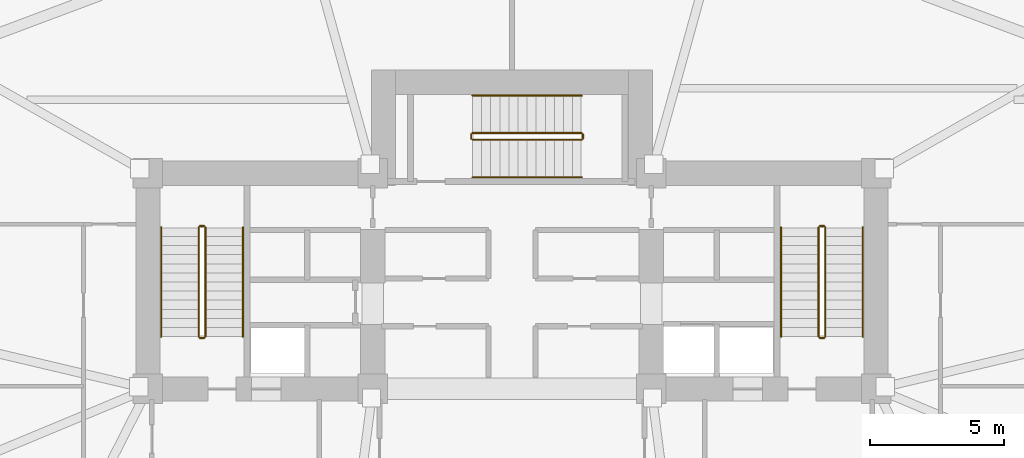
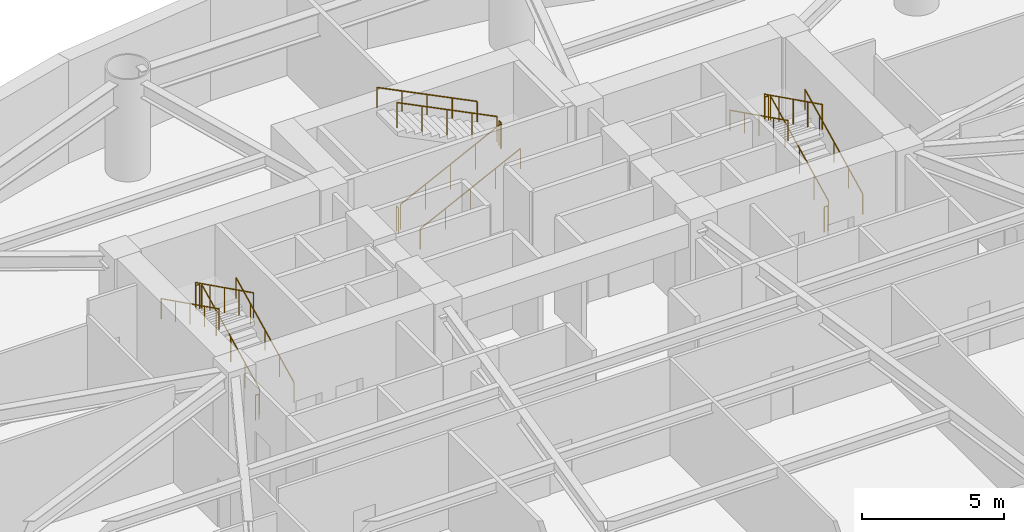
# One storey, part 6 of 6: 18 railings.
"""IFC4 building model written with IfcOpenShell, lengths in metres."""

from ifc_helpers import new_model, si_unit, direction, frame, origin, origin_2d, place, context, subcontext, project, spatial, circle, extrude, material, type_object, element, save


model = new_model("IFC4")

# Units and contexts
model_context = context("Model", 3, precision=1e-05, world=origin(), true_north=direction((0.0, 1.0)))
body_context = subcontext(model_context, "Body", "Model", "MODEL_VIEW")
ifc_project = project(units=[si_unit("LENGTHUNIT", "METRE"), si_unit("AREAUNIT", "SQUARE_METRE"), si_unit("VOLUMEUNIT", "CUBIC_METRE"), si_unit("PLANEANGLEUNIT", "RADIAN"), si_unit("MASSUNIT", "GRAM", prefix="KILO")], contexts=[model_context])

# Site, building, storey
site_placement = place(None, origin())
site = spatial("IfcSite", under=ifc_project, at=site_placement, CompositionType="ELEMENT")
building_placement = place(site_placement, origin())
building = spatial("IfcBuilding", under=site, at=building_placement, Name="Keldmark Tower", CompositionType="ELEMENT")
storey_placement = place(building_placement, frame((0.0, 0.0, -4.39990234375)))
storey = spatial("IfcBuildingStorey", under=building, at=storey_placement, Name="B01", CompositionType="ELEMENT", Elevation=-4.39990234375)

# Railings
ifc_material_1 = material(Name="Painted Steel ASTM A500 Grade B", Category="steel")
railing_type_1 = type_object("IfcRailingType", Name="Painted Steel Stair Well Guard 1100 mm", PredefinedType="GUARDRAIL", material=ifc_material_1)
railing_1_placement = place(storey_placement, frame((-11.449951171875, 3.35009765625, 0.169189453125)))
element("IfcRailing", 1, at=railing_1_placement, inside=storey, type_object=railing_type_1, Name="B01 ST1 stair guard 1", PredefinedType="GUARDRAIL", context=body_context, shape_type="SweptSolid", body=[
    extrude(circle(Radius=0.02392578125, at=origin_2d()), frame((0.0, 0.0, 1.076171875), z_axis=(0.0, 0.895229316009, 0.445605735777), x_axis=(-1.0, 0.0, 0.0)), (0.0, 0.0, 1.0), 4.557373046875),
    extrude(circle(Radius=0.02099609375, at=origin_2d()), origin(), (0.0, 0.0, 1.0), 1.052001953125),
    extrude(circle(Radius=0.02099609375, at=origin_2d()), frame((0.0, 1.02001953125, 0.5078125)), (0.0, 0.0, 1.0), 1.052001953125),
    extrude(circle(Radius=0.02099609375, at=origin_2d()), frame((0.0, 2.0400390625, 1.015380859375)), (0.0, 0.0, 1.0), 1.052001953125),
    extrude(circle(Radius=0.02099609375, at=origin_2d()), frame((0.0, 3.059814453125, 1.52294921875)), (0.0, 0.0, 1.0), 1.052001953125),
    extrude(circle(Radius=0.02099609375, at=origin_2d()), frame((0.0, 4.079833984375, 2.03076171875)), (0.0, 0.0, 1.0), 1.052001953125),
])
railing_2_placement = place(storey_placement, frame((-11.5, 7.47998046875, 2.199951171875)))
element("IfcRailing", 2, at=railing_2_placement, inside=storey, type_object=railing_type_1, Name="B01 ST1 stair guard 2", PredefinedType="GUARDRAIL", context=body_context, shape_type="SweptSolid", body=[
    extrude(circle(Radius=0.02392578125, at=origin_2d()), frame((0.0, 0.0, 1.076171875), z_axis=(-1.0, 0.0, 0.0), x_axis=(0.0, -1.0, 0.0)), (0.0, 0.0, 1.0), 0.14990234375),
    extrude(circle(Radius=0.02099609375, at=origin_2d()), origin(), (0.0, 0.0, 1.0), 1.052001953125),
    extrude(circle(Radius=0.02099609375, at=origin_2d()), frame((-0.14990234375, 0.0, 0.0)), (0.0, 0.0, 1.0), 1.052001953125),
])
railing_3_placement = place(storey_placement, frame((-11.699951171875, 7.429931640625, 2.369140625)))
element("IfcRailing", 3, at=railing_3_placement, inside=storey, type_object=railing_type_1, Name="B01 ST1 stair guard 3", PredefinedType="GUARDRAIL", context=body_context, shape_type="SweptSolid", body=[
    extrude(circle(Radius=0.02392578125, at=origin_2d()), frame((0.0, 0.0, 1.076171875), z_axis=(0.0, -0.895229316009, 0.445605735777), x_axis=(1.0, 0.0, 0.0)), (0.0, 0.0, 1.0), 4.557373046875),
    extrude(circle(Radius=0.02099609375, at=origin_2d()), origin(), (0.0, 0.0, 1.0), 1.052001953125),
    extrude(circle(Radius=0.02099609375, at=origin_2d()), frame((0.0, -1.02001953125, 0.5078125)), (0.0, 0.0, 1.0), 1.052001953125),
    extrude(circle(Radius=0.02099609375, at=origin_2d()), frame((0.0, -2.0400390625, 1.015380859375)), (0.0, 0.0, 1.0), 1.052001953125),
    extrude(circle(Radius=0.02099609375, at=origin_2d()), frame((0.0, -3.059814453125, 1.52294921875)), (0.0, 0.0, 1.0), 1.052001953125),
    extrude(circle(Radius=0.02099609375, at=origin_2d()), frame((0.0, -4.079833984375, 2.03076171875)), (0.0, 0.0, 1.0), 1.052001953125),
])
railing_4_placement = place(storey_placement, frame((-11.5, 3.300048828125, 0.0)))
element("IfcRailing", 4, at=railing_4_placement, inside=storey, type_object=railing_type_1, Name="B01 ST1 stair guard 4", PredefinedType="GUARDRAIL", context=body_context, shape_type="SweptSolid", body=[
    extrude(circle(Radius=0.02392578125, at=origin_2d()), frame((0.0, 0.0, 1.076171875), z_axis=(-1.0, 0.0, 0.0), x_axis=(0.0, -1.0, 0.0)), (0.0, 0.0, 1.0), 0.14990234375),
    extrude(circle(Radius=0.02099609375, at=origin_2d()), origin(), (0.0, 0.0, 1.0), 1.052001953125),
    extrude(circle(Radius=0.02099609375, at=origin_2d()), frame((-0.14990234375, 0.0, 0.0)), (0.0, 0.0, 1.0), 1.052001953125),
])
railing_5_placement = place(storey_placement, frame((11.699951171875, 3.35009765625, 0.169189453125)))
element("IfcRailing", 5, at=railing_5_placement, inside=storey, type_object=railing_type_1, Name="B01 ST2 stair guard 1", PredefinedType="GUARDRAIL", context=body_context, shape_type="SweptSolid", body=[
    extrude(circle(Radius=0.02392578125, at=origin_2d()), frame((0.0, 0.0, 1.076171875), z_axis=(0.0, 0.895229316009, 0.445605735777), x_axis=(-1.0, 0.0, 0.0)), (0.0, 0.0, 1.0), 4.557373046875),
    extrude(circle(Radius=0.02099609375, at=origin_2d()), origin(), (0.0, 0.0, 1.0), 1.052001953125),
    extrude(circle(Radius=0.02099609375, at=origin_2d()), frame((0.0, 1.02001953125, 0.5078125)), (0.0, 0.0, 1.0), 1.052001953125),
    extrude(circle(Radius=0.02099609375, at=origin_2d()), frame((0.0, 2.0400390625, 1.015380859375)), (0.0, 0.0, 1.0), 1.052001953125),
    extrude(circle(Radius=0.02099609375, at=origin_2d()), frame((0.0, 3.059814453125, 1.52294921875)), (0.0, 0.0, 1.0), 1.052001953125),
    extrude(circle(Radius=0.02099609375, at=origin_2d()), frame((0.0, 4.079833984375, 2.03076171875)), (0.0, 0.0, 1.0), 1.052001953125),
])
railing_6_placement = place(storey_placement, frame((11.64990234375, 7.47998046875, 2.199951171875)))
element("IfcRailing", 6, at=railing_6_placement, inside=storey, type_object=railing_type_1, Name="B01 ST2 stair guard 2", PredefinedType="GUARDRAIL", context=body_context, shape_type="SweptSolid", body=[
    extrude(circle(Radius=0.02392578125, at=origin_2d()), frame((0.0, 0.0, 1.076171875), z_axis=(-1.0, 0.0, 0.0), x_axis=(0.0, -1.0, 0.0)), (0.0, 0.0, 1.0), 0.14990234375),
    extrude(circle(Radius=0.02099609375, at=origin_2d()), origin(), (0.0, 0.0, 1.0), 1.052001953125),
    extrude(circle(Radius=0.02099609375, at=origin_2d()), frame((-0.14990234375, 0.0, 0.0)), (0.0, 0.0, 1.0), 1.052001953125),
])
railing_7_placement = place(storey_placement, frame((11.449951171875, 7.429931640625, 2.369140625)))
element("IfcRailing", 7, at=railing_7_placement, inside=storey, type_object=railing_type_1, Name="B01 ST2 stair guard 3", PredefinedType="GUARDRAIL", context=body_context, shape_type="SweptSolid", body=[
    extrude(circle(Radius=0.02392578125, at=origin_2d()), frame((0.0, 0.0, 1.076171875), z_axis=(0.0, -0.895229316009, 0.445605735777), x_axis=(1.0, 0.0, 0.0)), (0.0, 0.0, 1.0), 4.557373046875),
    extrude(circle(Radius=0.02099609375, at=origin_2d()), origin(), (0.0, 0.0, 1.0), 1.052001953125),
    extrude(circle(Radius=0.02099609375, at=origin_2d()), frame((0.0, -1.02001953125, 0.5078125)), (0.0, 0.0, 1.0), 1.052001953125),
    extrude(circle(Radius=0.02099609375, at=origin_2d()), frame((0.0, -2.0400390625, 1.015380859375)), (0.0, 0.0, 1.0), 1.052001953125),
    extrude(circle(Radius=0.02099609375, at=origin_2d()), frame((0.0, -3.059814453125, 1.52294921875)), (0.0, 0.0, 1.0), 1.052001953125),
    extrude(circle(Radius=0.02099609375, at=origin_2d()), frame((0.0, -4.079833984375, 2.03076171875)), (0.0, 0.0, 1.0), 1.052001953125),
])
railing_8_placement = place(storey_placement, frame((11.64990234375, 3.300048828125, 0.0)))
element("IfcRailing", 8, at=railing_8_placement, inside=storey, type_object=railing_type_1, Name="B01 ST2 stair guard 4", PredefinedType="GUARDRAIL", context=body_context, shape_type="SweptSolid", body=[
    extrude(circle(Radius=0.02392578125, at=origin_2d()), frame((0.0, 0.0, 1.076171875), z_axis=(-1.0, 0.0, 0.0), x_axis=(0.0, -1.0, 0.0)), (0.0, 0.0, 1.0), 0.14990234375),
    extrude(circle(Radius=0.02099609375, at=origin_2d()), origin(), (0.0, 0.0, 1.0), 1.052001953125),
    extrude(circle(Radius=0.02099609375, at=origin_2d()), frame((-0.14990234375, 0.0, 0.0)), (0.0, 0.0, 1.0), 1.052001953125),
])
railing_9_placement = place(storey_placement, frame((-1.47509765625, 10.699951171875, 0.169189453125)))
element("IfcRailing", 9, at=railing_9_placement, inside=storey, type_object=railing_type_1, Name="B01 ST3 stair guard 1", PredefinedType="GUARDRAIL", context=body_context, shape_type="SweptSolid", body=[
    extrude(circle(Radius=0.02392578125, at=origin_2d()), frame((0.0, 0.0, 1.076171875), z_axis=(0.895239952593, 0.0, 0.445584366064), x_axis=(0.0, 1.0, 0.0)), (0.0, 0.0, 1.0), 4.5576171875),
    extrude(circle(Radius=0.02099609375, at=origin_2d()), origin(), (0.0, 0.0, 1.0), 1.052001953125),
    extrude(circle(Radius=0.02099609375, at=origin_2d()), frame((1.02001953125, 0.0, 0.5078125)), (0.0, 0.0, 1.0), 1.052001953125),
    extrude(circle(Radius=0.02099609375, at=origin_2d()), frame((2.0400390625, 0.0, 1.015380859375)), (0.0, 0.0, 1.0), 1.052001953125),
    extrude(circle(Radius=0.02099609375, at=origin_2d()), frame((3.06005859375, 0.0, 1.52294921875)), (0.0, 0.0, 1.0), 1.052001953125),
    extrude(circle(Radius=0.02099609375, at=origin_2d()), frame((4.080078125, 0.0, 2.03076171875)), (0.0, 0.0, 1.0), 1.052001953125),
])
railing_10_placement = place(storey_placement, frame((2.655029296875, 10.75, 2.199951171875)))
element("IfcRailing", 10, at=railing_10_placement, inside=storey, type_object=railing_type_1, Name="B01 ST3 stair guard 2", PredefinedType="GUARDRAIL", context=body_context, shape_type="SweptSolid", body=[
    extrude(circle(Radius=0.02392578125, at=origin_2d()), frame((0.0, 0.0, 1.076171875), z_axis=(0.0, 1.0, 0.0), x_axis=(-1.0, 0.0, 0.0)), (0.0, 0.0, 1.0), 0.14990234375),
    extrude(circle(Radius=0.02099609375, at=origin_2d()), origin(), (0.0, 0.0, 1.0), 1.052001953125),
    extrude(circle(Radius=0.02099609375, at=origin_2d()), frame((0.0, 0.14990234375, 0.0)), (0.0, 0.0, 1.0), 1.052001953125),
])
railing_11_placement = place(storey_placement, frame((2.60498046875, 10.949951171875, 2.369140625)))
element("IfcRailing", 11, at=railing_11_placement, inside=storey, type_object=railing_type_1, Name="B01 ST3 stair guard 3", PredefinedType="GUARDRAIL", context=body_context, shape_type="SweptSolid", body=[
    extrude(circle(Radius=0.02392578125, at=origin_2d()), frame((0.0, 0.0, 1.076171875), z_axis=(-0.895239952593, 0.0, 0.445584366064), x_axis=(0.0, -1.0, 0.0)), (0.0, 0.0, 1.0), 4.5576171875),
    extrude(circle(Radius=0.02099609375, at=origin_2d()), origin(), (0.0, 0.0, 1.0), 1.052001953125),
    extrude(circle(Radius=0.02099609375, at=origin_2d()), frame((-1.02001953125, 0.0, 0.5078125)), (0.0, 0.0, 1.0), 1.052001953125),
    extrude(circle(Radius=0.02099609375, at=origin_2d()), frame((-2.0400390625, 0.0, 1.015380859375)), (0.0, 0.0, 1.0), 1.052001953125),
    extrude(circle(Radius=0.02099609375, at=origin_2d()), frame((-3.06005859375, 0.0, 1.52294921875)), (0.0, 0.0, 1.0), 1.052001953125),
    extrude(circle(Radius=0.02099609375, at=origin_2d()), frame((-4.080078125, 0.0, 2.03076171875)), (0.0, 0.0, 1.0), 1.052001953125),
])
railing_12_placement = place(storey_placement, frame((-1.52490234375, 10.75, 0.0)))
element("IfcRailing", 12, at=railing_12_placement, inside=storey, type_object=railing_type_1, Name="B01 ST3 stair guard 4", PredefinedType="GUARDRAIL", context=body_context, shape_type="SweptSolid", body=[
    extrude(circle(Radius=0.02392578125, at=origin_2d()), frame((0.0, 0.0, 1.076171875), z_axis=(0.0, 1.0, 0.0), x_axis=(-1.0, 0.0, 0.0)), (0.0, 0.0, 1.0), 0.14990234375),
    extrude(circle(Radius=0.02099609375, at=origin_2d()), origin(), (0.0, 0.0, 1.0), 1.052001953125),
    extrude(circle(Radius=0.02099609375, at=origin_2d()), frame((0.0, 0.14990234375, 0.0)), (0.0, 0.0, 1.0), 1.052001953125),
])
ifc_material_2 = material(Name="Stainless Steel AISI 316L", Category="steel")
railing_type_2 = type_object("IfcRailingType", Name="Stainless Steel Stair Handrail 900 mm", PredefinedType="HANDRAIL", material=ifc_material_2)
railing_13_placement = place(storey_placement, frame((-10.050048828125, 3.35009765625, 0.169189453125)))
element("IfcRailing", 13, at=railing_13_placement, inside=storey, type_object=railing_type_2, Name="B01 ST1 stair handrail 1", PredefinedType="HANDRAIL", context=body_context, shape_type="SweptSolid", body=[
    extrude(circle(Radius=0.02392578125, at=origin_2d()), frame((0.0, 0.0, 0.8759765625), z_axis=(0.0, 0.895229316009, 0.445605735777), x_axis=(-1.0, 0.0, 0.0)), (0.0, 0.0, 1.0), 4.557373046875),
    extrude(circle(Radius=0.02099609375, at=origin_2d()), origin(), (0.0, 0.0, 1.0), 0.851806640625),
    extrude(circle(Radius=0.02099609375, at=origin_2d()), frame((0.0, 1.02001953125, 0.5078125)), (0.0, 0.0, 1.0), 0.851806640625),
    extrude(circle(Radius=0.02099609375, at=origin_2d()), frame((0.0, 2.0400390625, 1.015380859375)), (0.0, 0.0, 1.0), 0.851806640625),
    extrude(circle(Radius=0.02099609375, at=origin_2d()), frame((0.0, 3.059814453125, 1.52294921875)), (0.0, 0.0, 1.0), 0.851806640625),
    extrude(circle(Radius=0.02099609375, at=origin_2d()), frame((0.0, 4.079833984375, 2.03076171875)), (0.0, 0.0, 1.0), 0.851806640625),
])
railing_14_placement = place(storey_placement, frame((-13.10009765625, 7.429931640625, 2.369140625)))
element("IfcRailing", 14, at=railing_14_placement, inside=storey, type_object=railing_type_2, Name="B01 ST1 stair handrail 2", PredefinedType="HANDRAIL", context=body_context, shape_type="SweptSolid", body=[
    extrude(circle(Radius=0.02392578125, at=origin_2d()), frame((0.0, 0.0, 0.8759765625), z_axis=(0.0, -0.895229316009, 0.445605735777), x_axis=(1.0, 0.0, 0.0)), (0.0, 0.0, 1.0), 4.557373046875),
    extrude(circle(Radius=0.02099609375, at=origin_2d()), origin(), (0.0, 0.0, 1.0), 0.851806640625),
    extrude(circle(Radius=0.02099609375, at=origin_2d()), frame((0.0, -1.02001953125, 0.5078125)), (0.0, 0.0, 1.0), 0.851806640625),
    extrude(circle(Radius=0.02099609375, at=origin_2d()), frame((0.0, -2.0400390625, 1.015380859375)), (0.0, 0.0, 1.0), 0.851806640625),
    extrude(circle(Radius=0.02099609375, at=origin_2d()), frame((0.0, -3.059814453125, 1.52294921875)), (0.0, 0.0, 1.0), 0.851806640625),
    extrude(circle(Radius=0.02099609375, at=origin_2d()), frame((0.0, -4.079833984375, 2.03076171875)), (0.0, 0.0, 1.0), 0.851806640625),
])
railing_15_placement = place(storey_placement, frame((13.10009765625, 3.35009765625, 0.169189453125)))
element("IfcRailing", 15, at=railing_15_placement, inside=storey, type_object=railing_type_2, Name="B01 ST2 stair handrail 1", PredefinedType="HANDRAIL", context=body_context, shape_type="SweptSolid", body=[
    extrude(circle(Radius=0.02392578125, at=origin_2d()), frame((0.0, 0.0, 0.8759765625), z_axis=(0.0, 0.895229316009, 0.445605735777), x_axis=(-1.0, 0.0, 0.0)), (0.0, 0.0, 1.0), 4.557373046875),
    extrude(circle(Radius=0.02099609375, at=origin_2d()), origin(), (0.0, 0.0, 1.0), 0.851806640625),
    extrude(circle(Radius=0.02099609375, at=origin_2d()), frame((0.0, 1.02001953125, 0.5078125)), (0.0, 0.0, 1.0), 0.851806640625),
    extrude(circle(Radius=0.02099609375, at=origin_2d()), frame((0.0, 2.0400390625, 1.015380859375)), (0.0, 0.0, 1.0), 0.851806640625),
    extrude(circle(Radius=0.02099609375, at=origin_2d()), frame((0.0, 3.059814453125, 1.52294921875)), (0.0, 0.0, 1.0), 0.851806640625),
    extrude(circle(Radius=0.02099609375, at=origin_2d()), frame((0.0, 4.079833984375, 2.03076171875)), (0.0, 0.0, 1.0), 0.851806640625),
])
railing_16_placement = place(storey_placement, frame((10.050048828125, 7.429931640625, 2.369140625)))
element("IfcRailing", 16, at=railing_16_placement, inside=storey, type_object=railing_type_2, Name="B01 ST2 stair handrail 2", PredefinedType="HANDRAIL", context=body_context, shape_type="SweptSolid", body=[
    extrude(circle(Radius=0.02392578125, at=origin_2d()), frame((0.0, 0.0, 0.8759765625), z_axis=(0.0, -0.895229316009, 0.445605735777), x_axis=(1.0, 0.0, 0.0)), (0.0, 0.0, 1.0), 4.557373046875),
    extrude(circle(Radius=0.02099609375, at=origin_2d()), origin(), (0.0, 0.0, 1.0), 0.851806640625),
    extrude(circle(Radius=0.02099609375, at=origin_2d()), frame((0.0, -1.02001953125, 0.5078125)), (0.0, 0.0, 1.0), 0.851806640625),
    extrude(circle(Radius=0.02099609375, at=origin_2d()), frame((0.0, -2.0400390625, 1.015380859375)), (0.0, 0.0, 1.0), 0.851806640625),
    extrude(circle(Radius=0.02099609375, at=origin_2d()), frame((0.0, -3.059814453125, 1.52294921875)), (0.0, 0.0, 1.0), 0.851806640625),
    extrude(circle(Radius=0.02099609375, at=origin_2d()), frame((0.0, -4.079833984375, 2.03076171875)), (0.0, 0.0, 1.0), 0.851806640625),
])
railing_17_placement = place(storey_placement, frame((-1.47509765625, 9.300048828125, 0.169189453125)))
element("IfcRailing", 17, at=railing_17_placement, inside=storey, type_object=railing_type_2, Name="B01 ST3 stair handrail 1", PredefinedType="HANDRAIL", context=body_context, shape_type="SweptSolid", body=[
    extrude(circle(Radius=0.02392578125, at=origin_2d()), frame((0.0, 0.0, 0.8759765625), z_axis=(0.895239952593, 0.0, 0.445584366064), x_axis=(0.0, 1.0, 0.0)), (0.0, 0.0, 1.0), 4.5576171875),
    extrude(circle(Radius=0.02099609375, at=origin_2d()), origin(), (0.0, 0.0, 1.0), 0.851806640625),
    extrude(circle(Radius=0.02099609375, at=origin_2d()), frame((1.02001953125, 0.0, 0.5078125)), (0.0, 0.0, 1.0), 0.851806640625),
    extrude(circle(Radius=0.02099609375, at=origin_2d()), frame((2.0400390625, 0.0, 1.015380859375)), (0.0, 0.0, 1.0), 0.851806640625),
    extrude(circle(Radius=0.02099609375, at=origin_2d()), frame((3.06005859375, 0.0, 1.52294921875)), (0.0, 0.0, 1.0), 0.851806640625),
    extrude(circle(Radius=0.02099609375, at=origin_2d()), frame((4.080078125, 0.0, 2.03076171875)), (0.0, 0.0, 1.0), 0.851806640625),
])
railing_18_placement = place(storey_placement, frame((2.60498046875, 12.35009765625, 2.369140625)))
element("IfcRailing", 18, at=railing_18_placement, inside=storey, type_object=railing_type_2, Name="B01 ST3 stair handrail 2", PredefinedType="HANDRAIL", context=body_context, shape_type="SweptSolid", body=[
    extrude(circle(Radius=0.02392578125, at=origin_2d()), frame((0.0, 0.0, 0.8759765625), z_axis=(-0.895239952593, 0.0, 0.445584366064), x_axis=(0.0, -1.0, 0.0)), (0.0, 0.0, 1.0), 4.5576171875),
    extrude(circle(Radius=0.02099609375, at=origin_2d()), origin(), (0.0, 0.0, 1.0), 0.851806640625),
    extrude(circle(Radius=0.02099609375, at=origin_2d()), frame((-1.02001953125, 0.0, 0.5078125)), (0.0, 0.0, 1.0), 0.851806640625),
    extrude(circle(Radius=0.02099609375, at=origin_2d()), frame((-2.0400390625, 0.0, 1.015380859375)), (0.0, 0.0, 1.0), 0.851806640625),
    extrude(circle(Radius=0.02099609375, at=origin_2d()), frame((-3.06005859375, 0.0, 1.52294921875)), (0.0, 0.0, 1.0), 0.851806640625),
    extrude(circle(Radius=0.02099609375, at=origin_2d()), frame((-4.080078125, 0.0, 2.03076171875)), (0.0, 0.0, 1.0), 0.851806640625),
])

save(model, "model.ifc")
